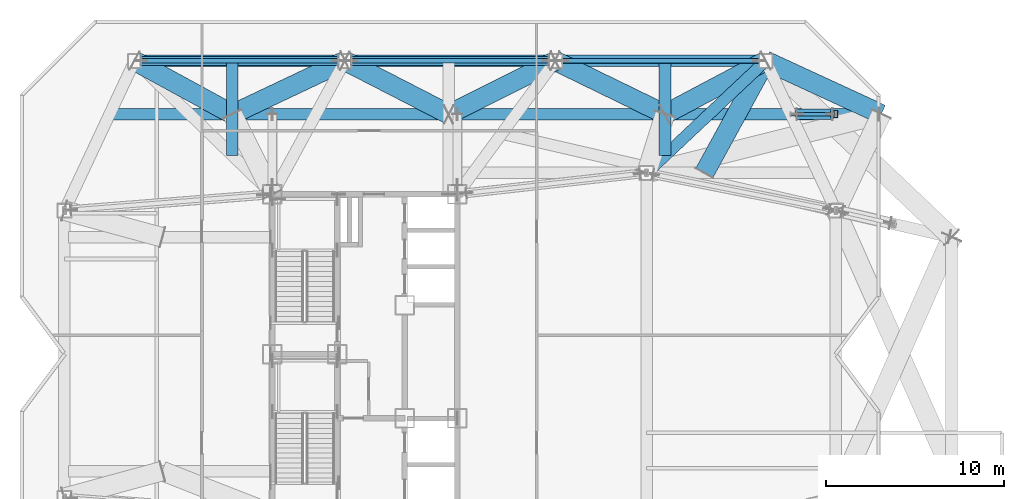
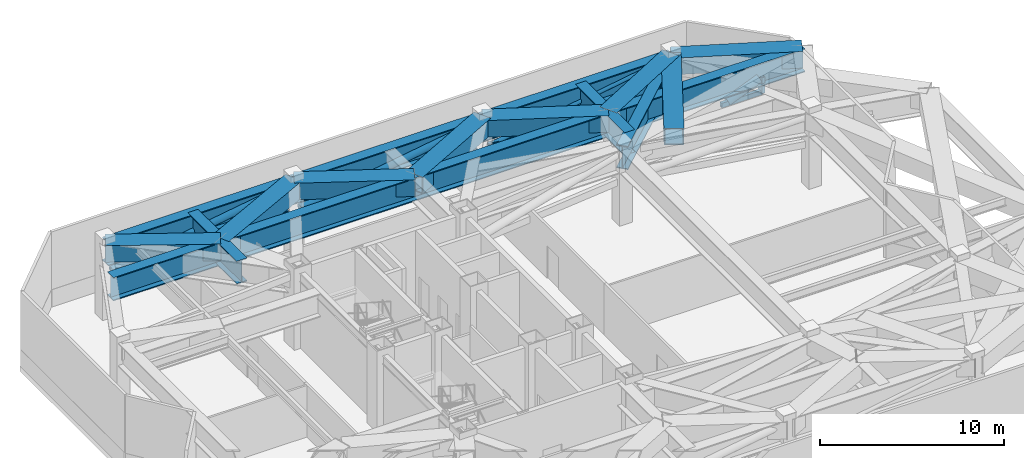
# One storey, part 6 of 19: 15 beams, 9 members.
"""IFC4 building model written with IfcOpenShell, lengths in metres."""

from ifc_helpers import new_model, si_unit, direction, frame, origin, origin_2d, place, context, subcontext, project, spatial, hollow_rectangle, hollow_circle, i_section, extrude, material, material_profile, profile_set, type_object, element, save


model = new_model("IFC4")

# Units and contexts
model_context = context("Model", 3, precision=1e-05, world=origin(), true_north=direction((0.0, 1.0)))
body_context = subcontext(model_context, "Body", "Model", "MODEL_VIEW")
ifc_project = project(units=[si_unit("LENGTHUNIT", "METRE"), si_unit("AREAUNIT", "SQUARE_METRE"), si_unit("VOLUMEUNIT", "CUBIC_METRE"), si_unit("PLANEANGLEUNIT", "RADIAN"), si_unit("MASSUNIT", "GRAM", prefix="KILO")], contexts=[model_context])

# Site, building, storey
site_placement = place(None, origin())
site = spatial("IfcSite", under=ifc_project, at=site_placement, CompositionType="ELEMENT")
building_placement = place(site_placement, origin())
building = spatial("IfcBuilding", under=site, at=building_placement, Name="Khamvora Tower", CompositionType="ELEMENT")
storey_placement = place(building_placement, frame((0.0, 0.0, 211.800048828125)))
storey = spatial("IfcBuildingStorey", under=building, at=storey_placement, Name="L54", CompositionType="ELEMENT", Elevation=211.800048828125)

# Beams
ifc_material_1 = material(Name="Steel S460", Category="steel")
ifc_material_profile_1 = material_profile(ifc_material_1, hollow_rectangle(XDim=1.10009765625, YDim=1.10009765625, WallThickness=0.054931640625, at=origin_2d()), Name="BOX1100x1100x55")
ifc_profile_set_1 = profile_set([ifc_material_profile_1], Name="Steel S460")
beam_type_1 = type_object("IfcBeamType", Name="BM-TG-BOX1100", PredefinedType="BEAM", material=ifc_profile_set_1)
beam_1_placement = place(storey_placement, frame((21.25, 44.5, 4.429931640625), z_axis=(0.877895572914, -0.478852130681, 0.0), x_axis=(0.478852130681, 0.877895572914, 0.0)))
element("IfcBeam", 1, at=beam_1_placement, inside=storey, type_object=beam_type_1, Name="L54 Zone Transfer Truss frame transfer link N1.2", PredefinedType="BEAM", context=body_context, shape_type="SweptSolid", body=[
    extrude(hollow_rectangle(XDim=1.10009765625, YDim=1.10009765625, WallThickness=0.054931640625, at=origin_2d()), origin(), (0.0, 0.0, 1.0), 6.264892578125),
])
beam_2_placement = place(storey_placement, frame((33.0830078125, 44.5, 4.429931640625), z_axis=(-0.903729325965, -0.428104316016, 0.0), x_axis=(0.428104316016, -0.903729325965, 0.0)))
element("IfcBeam", 2, at=beam_2_placement, inside=storey, type_object=beam_type_1, Name="L54 Zone Transfer Truss frame transfer link N1.3", PredefinedType="BEAM", context=body_context, shape_type="SweptSolid", body=[
    extrude(hollow_rectangle(XDim=1.10009765625, YDim=1.10009765625, WallThickness=0.054931640625, at=origin_2d()), origin(), (0.0, 0.0, 1.0), 7.007568359375),
])
beam_3_placement = place(storey_placement, frame((33.0830078125, 44.5, 4.429931640625), z_axis=(0.889308559597, -0.457307648993, 0.0), x_axis=(0.457307648993, 0.889308559597, 0.0)))
element("IfcBeam", 3, at=beam_3_placement, inside=storey, type_object=beam_type_1, Name="L54 Zone Transfer Truss frame transfer link N2.2", PredefinedType="BEAM", context=body_context, shape_type="SweptSolid", body=[
    extrude(hollow_rectangle(XDim=1.10009765625, YDim=1.10009765625, WallThickness=0.054931640625, at=origin_2d()), origin(), (0.0, 0.0, 1.0), 6.56005859375),
])
beam_4_placement = place(storey_placement, frame((44.9169921875, 44.5, 4.429931640625), z_axis=(-0.894427191, -0.4472135955, 0.0), x_axis=(0.4472135955, -0.894427191, 0.0)))
element("IfcBeam", 4, at=beam_4_placement, inside=storey, type_object=beam_type_1, Name="L54 Zone Transfer Truss frame transfer link N2.3", PredefinedType="BEAM", context=body_context, shape_type="SweptSolid", body=[
    extrude(hollow_rectangle(XDim=1.10009765625, YDim=1.10009765625, WallThickness=0.054931640625, at=origin_2d()), origin(), (0.0, 0.0, 1.0), 6.708251953125),
])
beam_5_placement = place(storey_placement, frame((56.75, 44.5, 4.429931640625), z_axis=(-0.883799029908, -0.467866727534, 0.0), x_axis=(0.467866727534, -0.883799029908, 0.0)))
element("IfcBeam", 5, at=beam_5_placement, inside=storey, type_object=beam_type_1, Name="L54 Zone Transfer Truss frame transfer link N3.2", PredefinedType="BEAM", context=body_context, shape_type="SweptSolid", body=[
    extrude(hollow_rectangle(XDim=1.10009765625, YDim=1.10009765625, WallThickness=0.054931640625, at=origin_2d()), origin(), (0.0, 0.0, 1.0), 6.412109375),
])
beam_6_placement = place(storey_placement, frame((44.9169921875, 44.5, 4.429931640625), z_axis=(0.899216917897, -0.437503068068, 0.0), x_axis=(0.437503068068, 0.899216917897, 0.0)))
element("IfcBeam", 6, at=beam_6_placement, inside=storey, type_object=beam_type_1, Name="L54 Zone Transfer Truss frame transfer link N3.3", PredefinedType="BEAM", context=body_context, shape_type="SweptSolid", body=[
    extrude(hollow_rectangle(XDim=1.10009765625, YDim=1.10009765625, WallThickness=0.054931640625, at=origin_2d()), origin(), (0.0, 0.0, 1.0), 6.857177734375),
])
beam_7_placement = place(storey_placement, frame((56.75, 44.5, 4.429931640625), z_axis=(0.9079593845, -0.419058177462, 0.0), x_axis=(0.419058177462, 0.9079593845, 0.0)))
element("IfcBeam", 7, at=beam_7_placement, inside=storey, type_object=beam_type_1, Name="L54 Zone Transfer Truss frame transfer link N4.2", PredefinedType="BEAM", context=body_context, shape_type="SweptSolid", body=[
    extrude(hollow_rectangle(XDim=1.10009765625, YDim=1.10009765625, WallThickness=0.054931640625, at=origin_2d()), origin(), (0.0, 0.0, 1.0), 7.158935546875),
])
beam_8_placement = place(storey_placement, frame((56.75, 44.5, 4.429931640625), z_axis=(-0.480306529386, -0.877100699937, 0.0), x_axis=(0.877100699937, -0.480306529386, 0.0)))
element("IfcBeam", 8, at=beam_8_placement, inside=storey, type_object=beam_type_1, Name="L54 Zone Transfer Truss frame transfer link M2.2", PredefinedType="BEAM", context=body_context, shape_type="SweptSolid", body=[
    extrude(hollow_rectangle(XDim=1.10009765625, YDim=1.10009765625, WallThickness=0.054931640625, at=origin_2d()), origin(), (0.0, 0.0, 1.0), 7.182861328125),
])
ifc_material_profile_2 = material_profile(ifc_material_1, i_section(OverallWidth=0.64990234375, OverallDepth=1.550048828125, WebThickness=0.0400390625, FlangeThickness=0.06494140625, at=origin_2d()), Name="PG1550x650x40x65")
ifc_profile_set_2 = profile_set([ifc_material_profile_2], Name="Steel S460")
beam_type_2 = type_object("IfcBeamType", Name="BM-TG-PG1800", PredefinedType="BEAM", material=ifc_profile_set_2)
beam_9_placement = place(storey_placement, frame((56.75, 44.5, 4.204833984375), z_axis=(-1.0, 0.0, 0.0), x_axis=(0.0, -1.0, 0.0)))
element("IfcBeam", 9, at=beam_9_placement, inside=storey, type_object=beam_type_2, Name="L54 perimeter spandrel beam N4-N3", PredefinedType="BEAM", context=body_context, shape_type="SweptSolid", body=[
    extrude(i_section(OverallWidth=0.64990234375, OverallDepth=1.550048828125, WebThickness=0.0400390625, FlangeThickness=0.06494140625, at=origin_2d()), origin(), (0.0, 0.0, 1.0), 11.8330078125),
])
beam_10_placement = place(storey_placement, frame((44.9169921875, 44.5, 4.204833984375), z_axis=(-1.0, 0.0, 0.0), x_axis=(0.0, -1.0, 0.0)))
element("IfcBeam", 10, at=beam_10_placement, inside=storey, type_object=beam_type_2, Name="L54 perimeter spandrel beam N3-N2", PredefinedType="BEAM", context=body_context, shape_type="SweptSolid", body=[
    extrude(i_section(OverallWidth=0.64990234375, OverallDepth=1.550048828125, WebThickness=0.0400390625, FlangeThickness=0.06494140625, at=origin_2d()), origin(), (0.0, 0.0, 1.0), 11.833984375),
])
beam_11_placement = place(storey_placement, frame((33.0830078125, 44.5, 4.204833984375), z_axis=(-1.0, 0.0, 0.0), x_axis=(0.0, -1.0, 0.0)))
element("IfcBeam", 11, at=beam_11_placement, inside=storey, type_object=beam_type_2, Name="L54 perimeter spandrel beam N2-N1", PredefinedType="BEAM", context=body_context, shape_type="SweptSolid", body=[
    extrude(i_section(OverallWidth=0.64990234375, OverallDepth=1.550048828125, WebThickness=0.0400390625, FlangeThickness=0.06494140625, at=origin_2d()), origin(), (0.0, 0.0, 1.0), 11.8330078125),
])
beam_12_placement = place(storey_placement, frame((50.050048828125, 38.199951171875, 4.204833984375), z_axis=(0.728513992294, 0.685030921224, 0.0), x_axis=(-0.685030921224, 0.728513992294, 0.0)))
element("IfcBeam", 12, at=beam_12_placement, inside=storey, type_object=beam_type_2, Name="L54 primary floor girder N4", PredefinedType="BEAM", context=body_context, shape_type="SweptSolid", body=[
    extrude(i_section(OverallWidth=0.64990234375, OverallDepth=1.550048828125, WebThickness=0.0400390625, FlangeThickness=0.06494140625, at=origin_2d()), origin(), (0.0, 0.0, 1.0), 9.19677734375),
])
beam_13_placement = place(storey_placement, frame((26.75, 39.177001953125, 4.204833984375), z_axis=(0.0, 1.0, 0.0), x_axis=(-1.0, 0.0, 0.0)))
element("IfcBeam", 13, at=beam_13_placement, inside=storey, type_object=beam_type_2, Name="L54 Zone Transfer Truss Box Girder N1", PredefinedType="BEAM", context=body_context, shape_type="SweptSolid", body=[
    extrude(i_section(OverallWidth=0.64990234375, OverallDepth=1.550048828125, WebThickness=0.0400390625, FlangeThickness=0.06494140625, at=origin_2d()), origin(), (0.0, 0.0, 1.0), 5.322998046875),
])
beam_14_placement = place(storey_placement, frame((51.0830078125, 39.1708984375, 4.204833984375), z_axis=(0.0, 1.0, 0.0), x_axis=(-1.0, 0.0, 0.0)))
element("IfcBeam", 14, at=beam_14_placement, inside=storey, type_object=beam_type_2, Name="L54 Zone Transfer Truss Box Girder N3", PredefinedType="BEAM", context=body_context, shape_type="SweptSolid", body=[
    extrude(i_section(OverallWidth=0.64990234375, OverallDepth=1.550048828125, WebThickness=0.0400390625, FlangeThickness=0.06494140625, at=origin_2d()), origin(), (0.0, 0.0, 1.0), 5.3291015625),
])
beam_15_placement = place(storey_placement, frame((19.843017578125, 41.5, 4.204833984375), z_axis=(1.0, 0.0, 0.0), x_axis=(0.0, 1.0, 0.0)))
element("IfcBeam", 15, at=beam_15_placement, inside=storey, type_object=beam_type_2, Name="L54 Zone Transfer Truss Upper Box Girder N4", PredefinedType="BEAM", context=body_context, shape_type="SweptSolid", body=[
    extrude(i_section(OverallWidth=0.64990234375, OverallDepth=1.550048828125, WebThickness=0.0400390625, FlangeThickness=0.06494140625, at=origin_2d()), origin(), (0.0, 0.0, 1.0), 43.406982421875),
])

# Members
ifc_material_profile_3 = material_profile(ifc_material_1, hollow_circle(Radius=0.25390625, WallThickness=0.02490234375, at=origin_2d()), Name="CHS508x25")
ifc_profile_set_3 = profile_set([ifc_material_profile_3], Name="Steel S460")
member_type_1 = type_object("IfcMemberType", Name="MEM-BR-CHS508", PredefinedType="BRACE", material=ifc_profile_set_3)
member_1_placement = place(storey_placement, frame((21.625, 44.5, 2.81884765625), z_axis=(0.987732072954, 0.0, 0.156158099559), x_axis=(0.0, 1.0, 0.0)))
element("IfcMember", 16, at=member_1_placement, inside=storey, type_object=member_type_1, Name="L54 Perimeter Belt Truss Diagonal 2.1", PredefinedType="BRACE", context=body_context, shape_type="SweptSolid", body=[
    extrude(hollow_circle(Radius=0.25390625, WallThickness=0.02490234375, at=origin_2d()), origin(), (0.0, 0.0, 1.0), 11.220703125),
])
member_2_placement = place(storey_placement, frame((33.4580078125, 44.5, 2.81884765625), z_axis=(0.987734194999, 0.0, 0.156144676597), x_axis=(0.0, 1.0, 0.0)))
element("IfcMember", 17, at=member_2_placement, inside=storey, type_object=member_type_1, Name="L54 Perimeter Belt Truss Diagonal 2.2", PredefinedType="BRACE", context=body_context, shape_type="SweptSolid", body=[
    extrude(hollow_circle(Radius=0.25390625, WallThickness=0.02490234375, at=origin_2d()), origin(), (0.0, 0.0, 1.0), 11.2216796875),
])
ifc_material_profile_4 = material_profile(ifc_material_1, hollow_circle(Radius=0.304931640625, WallThickness=0.028076171875, at=origin_2d()), Name="CHS610x28")
ifc_profile_set_4 = profile_set([ifc_material_profile_4], Name="Steel S460")
member_type_2 = type_object("IfcMemberType", Name="MEM-BR-CHS610", PredefinedType="BRACE", material=ifc_profile_set_4)
member_3_placement = place(storey_placement, frame((58.508056640625, 41.5, 2.98486328125), z_axis=(0.924541926576, 0.0, 0.381080340615), x_axis=(0.0, 1.0, 0.0)))
element("IfcMember", 18, at=member_3_placement, inside=storey, type_object=member_type_2, Name="L54 Zone Transfer Truss Web Brace N4", PredefinedType="BRACE", context=body_context, shape_type="SweptSolid", body=[
    extrude(hollow_circle(Radius=0.304931640625, WallThickness=0.028076171875, at=origin_2d()), origin(), (0.0, 0.0, 1.0), 2.154541015625),
])
ifc_material_profile_5 = material_profile(ifc_material_1, hollow_rectangle(XDim=0.25, YDim=0.449951171875, WallThickness=0.01611328125, at=origin_2d()), Name="RHS450x250x16")
ifc_profile_set_5 = profile_set([ifc_material_profile_5], Name="Steel S460")
member_type_3 = type_object("IfcMemberType", Name="MEM-CH-RHS450", PredefinedType="CHORD", material=ifc_profile_set_5)
member_4_placement = place(storey_placement, frame((21.6298828125, 44.5, 2.760009765625), z_axis=(1.0, 0.0, 0.0), x_axis=(0.0, 1.0, 0.0)))
element("IfcMember", 19, at=member_4_placement, inside=storey, type_object=member_type_3, Name="L54 Perimeter Belt Truss Bottom Chord 2.1", PredefinedType="CHORD", context=body_context, shape_type="SweptSolid", body=[
    extrude(hollow_rectangle(XDim=0.25, YDim=0.449951171875, WallThickness=0.01611328125, at=origin_2d()), origin(), (0.0, 0.0, 1.0), 11.072998046875),
])
member_5_placement = place(storey_placement, frame((33.462890625, 44.5, 2.760009765625), z_axis=(1.0, 0.0, 0.0), x_axis=(0.0, 1.0, 0.0)))
element("IfcMember", 20, at=member_5_placement, inside=storey, type_object=member_type_3, Name="L54 Perimeter Belt Truss Bottom Chord 2.2", PredefinedType="CHORD", context=body_context, shape_type="SweptSolid", body=[
    extrude(hollow_rectangle(XDim=0.25, YDim=0.449951171875, WallThickness=0.01611328125, at=origin_2d()), origin(), (0.0, 0.0, 1.0), 11.07421875),
])
member_6_placement = place(storey_placement, frame((45.297119140625, 44.5, 2.760009765625), z_axis=(1.0, 0.0, 0.0), x_axis=(0.0, 1.0, 0.0)))
element("IfcMember", 21, at=member_6_placement, inside=storey, type_object=member_type_3, Name="L54 Perimeter Belt Truss Bottom Chord 2.3", PredefinedType="CHORD", context=body_context, shape_type="SweptSolid", body=[
    extrude(hollow_rectangle(XDim=0.25, YDim=0.449951171875, WallThickness=0.01611328125, at=origin_2d()), origin(), (0.0, 0.0, 1.0), 11.072998046875),
])
ifc_material_2 = material(Name="Steel S355", Category="steel")
ifc_material_profile_6 = material_profile(ifc_material_2, hollow_rectangle(XDim=0.199951171875, YDim=0.300048828125, WallThickness=0.011962890625, at=origin_2d()), Name="RHS300x200x12")
ifc_profile_set_6 = profile_set([ifc_material_profile_6], Name="Steel S355")
member_type_4 = type_object("IfcMemberType", Name="MEM-PR-RHS300", PredefinedType="PURLIN", material=ifc_profile_set_6)
member_7_placement = place(storey_placement, frame((58.156982421875, 41.5, 2.83984375), z_axis=(1.0, 0.0, 0.0), x_axis=(0.0, 1.0, 0.0)))
element("IfcMember", 22, at=member_7_placement, inside=storey, type_object=member_type_4, Name="L54 Zone Transfer Truss Lower Chord N4", PredefinedType="PURLIN", context=body_context, shape_type="SweptSolid", body=[
    extrude(hollow_rectangle(XDim=0.199951171875, YDim=0.300048828125, WallThickness=0.011962890625, at=origin_2d()), origin(), (0.0, 0.0, 1.0), 2.5458984375),
])
ifc_material_profile_7 = material_profile(ifc_material_2, hollow_rectangle(XDim=0.199951171875, YDim=0.39990234375, WallThickness=0.01611328125, at=origin_2d()), Name="RHS400x200x16")
ifc_profile_set_7 = profile_set([ifc_material_profile_7], Name="Steel S355")
member_type_5 = type_object("IfcMemberType", Name="MEM-PS-RHS400", PredefinedType="POST", material=ifc_profile_set_7)
member_8_placement = place(storey_placement, frame((60.702880859375, 41.5, 2.83984375), z_axis=(0.0, 0.0, 1.0), x_axis=(1.0, 0.0, 0.0)))
element("IfcMember", 23, at=member_8_placement, inside=storey, type_object=member_type_5, Name="L54 Zone Transfer Truss Vertical Web Post N4", PredefinedType="POST", context=body_context, shape_type="SweptSolid", body=[
    extrude(hollow_rectangle(XDim=0.199951171875, YDim=0.39990234375, WallThickness=0.01611328125, at=origin_2d()), origin(), (0.0, 0.0, 1.0), 1.050048828125),
])
ifc_material_profile_8 = material_profile(ifc_material_2, hollow_circle(Radius=0.136474609375, WallThickness=0.011962890625, at=origin_2d()), Name="CHS273x12")
ifc_profile_set_8 = profile_set([ifc_material_profile_8], Name="Steel S355")
member_type_6 = type_object("IfcMemberType", Name="MEM-ST-CHS273", PredefinedType="STRUT", material=ifc_profile_set_8)
member_9_placement = place(storey_placement, frame((45.2919921875, 44.5, 2.822021484375), z_axis=(0.986698852872, 0.0, 0.162558831629), x_axis=(0.0, 1.0, 0.0)))
element("IfcMember", 24, at=member_9_placement, inside=storey, type_object=member_type_6, Name="L54 plant perimeter tie strut 2", PredefinedType="STRUT", context=body_context, shape_type="SweptSolid", body=[
    extrude(hollow_circle(Radius=0.136474609375, WallThickness=0.011962890625, at=origin_2d()), origin(), (0.0, 0.0, 1.0), 11.232421875),
])

save(model, "model.ifc")
